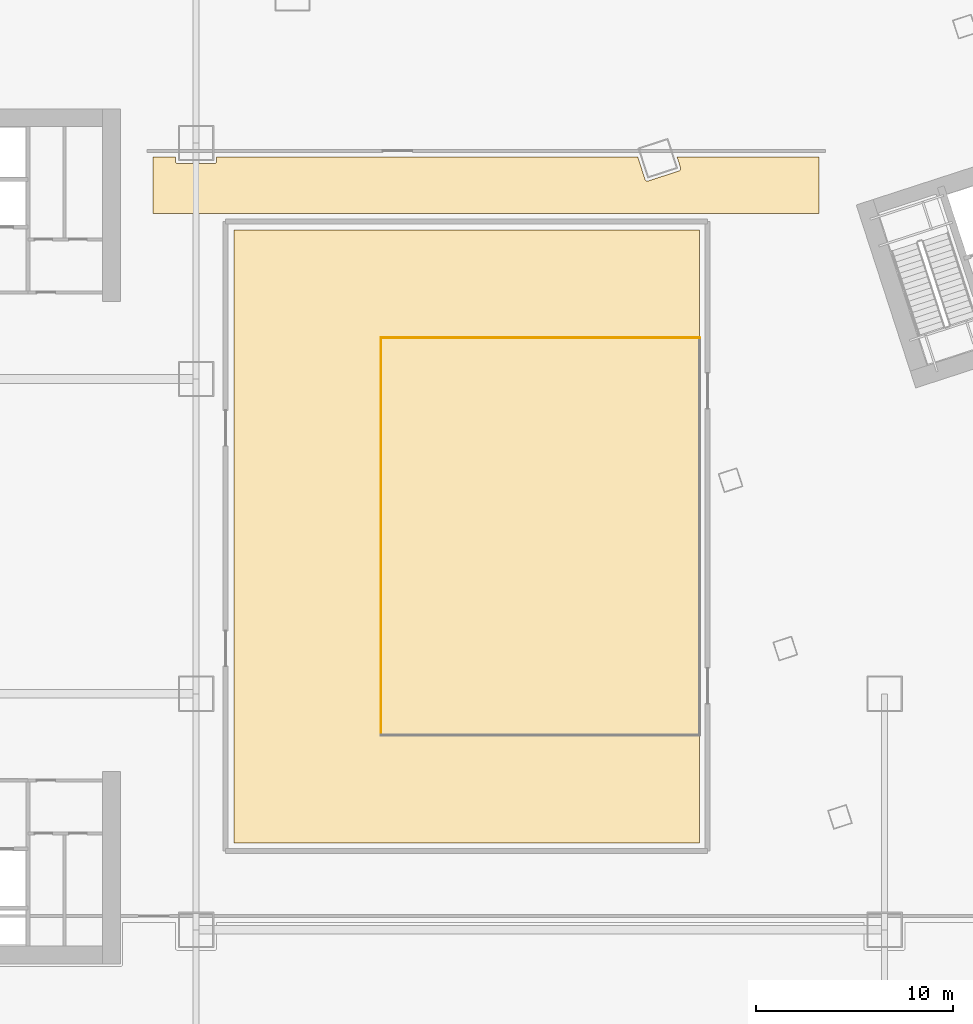
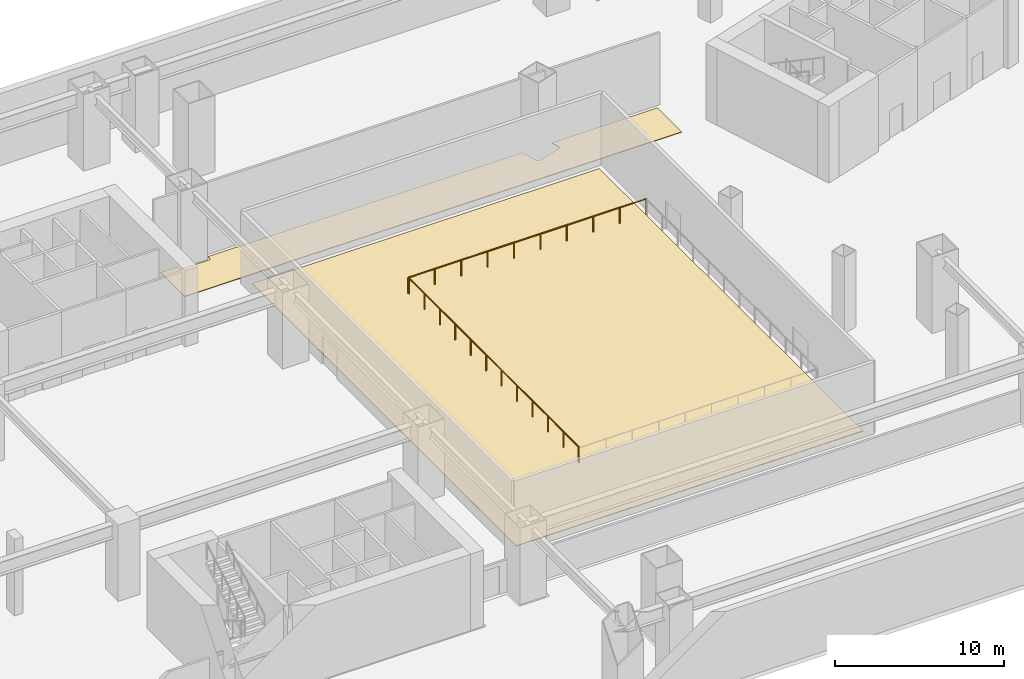
# One storey, part 33 of 35: 2 coverings, 2 railings.
"""IFC4 building model written with IfcOpenShell, lengths in metres."""

import ifcopenshell
import ifcopenshell.guid

model = None  # the IFC model being written
_history = None  # IfcOwnerHistory: only IFC2X3 demands one
_inside = {}  # id of a spatial element -> (the spatial element, [elements in it])
_under = {}  # id of a project, library or spatial element -> (it, [spatial elements below it])
_declared = {}  # id of a project -> (the project, [libraries it declares])
_typed = {}  # id of a type object -> (the type object, [elements of that type])
_made_of = {}  # id of a material, layer set ... -> (it, [elements and type objects made of it])


def new_model(schema):
    """Start an empty IFC model of exactly this schema.

    Asked for "IFC4X3", IfcOpenShell would pick the latest addendum, in which some entities
    have other attributes; the version numbers below select the first issue.
    IFC2X3 requires an IfcOwnerHistory on every rooted entity: one is made here for all.
    """
    global model, _history
    if schema == "IFC4X3":
        model = ifcopenshell.file(schema_version=(4, 3, 0, 0))
    else:
        model = ifcopenshell.file(schema=schema)
    _inside.clear()
    _under.clear()
    _declared.clear()
    _typed.clear()
    _made_of.clear()
    _history = None
    if model.schema == "IFC2X3":
        org = make("IfcOrganization", Name="unknown")
        user = make(
            "IfcPersonAndOrganization",
            ThePerson=make("IfcPerson", FamilyName="unknown"),
            TheOrganization=org,
        )
        app = make(
            "IfcApplication",
            ApplicationDeveloper=org,
            Version="unknown",
            ApplicationFullName="unknown",
            ApplicationIdentifier="unknown",
        )
        _history = make(
            "IfcOwnerHistory",
            OwningUser=user,
            OwningApplication=app,
            ChangeAction="ADDED",
            CreationDate=0,
        )
    return model


def make(cls, **values):
    """One entity of the class cls with the attributes given. An attribute that is None is left unset."""
    return model.create_entity(
        cls, **{name: value for name, value in values.items() if value is not None}
    )


def rooted(cls, **values):
    """An entity with a GlobalId (a new one), such as an element, a storey or a relation."""
    return make(cls, GlobalId=ifcopenshell.guid.new(), OwnerHistory=_history, **values)


def si_unit(unit_type, name, prefix=None):
    """IfcSIUnit, for example si_unit("LENGTHUNIT", "METRE", prefix="MILLI")."""
    return make("IfcSIUnit", UnitType=unit_type, Prefix=prefix, Name=name)


def assignment(units):
    """IfcUnitAssignment: the units of a project."""
    return None if units is None else make("IfcUnitAssignment", Units=units)


def point(xyz):
    """IfcCartesianPoint."""
    return None if xyz is None else make("IfcCartesianPoint", Coordinates=xyz)


def direction(xyz):
    """IfcDirection."""
    return None if xyz is None else make("IfcDirection", DirectionRatios=xyz)


def frame(location, z_axis=None, x_axis=None):
    """IfcAxis2Placement3D, a coordinate frame: its origin and axes. An axis left out is left unset."""
    return make(
        "IfcAxis2Placement3D",
        Location=point(location),
        Axis=direction(z_axis),
        RefDirection=direction(x_axis),
    )


def frame_2d(location, x_axis=None):
    """IfcAxis2Placement2D, a coordinate frame in the plane: its origin and x axis."""
    return make(
        "IfcAxis2Placement2D", Location=point(location), RefDirection=direction(x_axis)
    )


def origin():
    """The frame at (0, 0, 0) with its axes left unset."""
    return frame((0.0, 0.0, 0.0))


def origin_2d():
    """The frame at (0, 0) in the plane with its x axis left unset."""
    return frame_2d((0.0, 0.0))


def place(relative_to, where):
    """IfcLocalPlacement: puts the frame where relative to a parent placement (None: the world)."""
    return make(
        "IfcLocalPlacement", PlacementRelTo=relative_to, RelativePlacement=where
    )


def context(
    kind, dimensions, precision=None, world=None, true_north=None, identifier=None
):
    """IfcGeometricRepresentationContext, for example the 3D "Model" context."""
    return make(
        "IfcGeometricRepresentationContext",
        ContextIdentifier=identifier,
        ContextType=kind,
        CoordinateSpaceDimension=dimensions,
        Precision=precision,
        WorldCoordinateSystem=world,
        TrueNorth=true_north,
    )


def subcontext(parent, identifier, kind, view, scale=None):
    """IfcGeometricRepresentationSubContext, for example "Body" below "Model"."""
    return make(
        "IfcGeometricRepresentationSubContext",
        ContextIdentifier=identifier,
        ContextType=kind,
        ParentContext=parent,
        TargetScale=scale,
        TargetView=view,
    )


def project(units=None, contexts=None):
    """IfcProject with its units and contexts."""
    return rooted(
        "IfcProject",
        Name="project",
        RepresentationContexts=contexts,
        UnitsInContext=assignment(units),
    )


def spatial(cls, under=None, at=None, **own):
    """A site, building, storey or space (cls), placed at a placement, below another one or the project."""
    s = rooted(cls, ObjectPlacement=at, **own)
    if under is not None:
        _under.setdefault(under.id(), (under, []))[1].append(s)
    return s


def polyline(points):
    """IfcPolyline through the points."""
    return make("IfcPolyline", Points=[point(p) for p in points])


def profile(cls, at=None, kind="AREA", **sizes):
    """A parametric profile (cls). Its sizes go by their IFC names, for example OverallWidth=200.0."""
    return make(cls, ProfileType=kind, Position=at, **sizes)


def circle(**sizes):
    """IfcCircleProfileDef."""
    return profile("IfcCircleProfileDef", **sizes)


def outline(outer, holes=None, kind="AREA"):
    """IfcArbitraryClosedProfileDef: a profile drawn as a closed curve; with holes, ...WithVoids."""
    if holes is None:
        return make("IfcArbitraryClosedProfileDef", ProfileType=kind, OuterCurve=outer)
    return make(
        "IfcArbitraryProfileDefWithVoids",
        ProfileType=kind,
        OuterCurve=outer,
        InnerCurves=holes,
    )


def extrude(swept, where, along, depth):
    """IfcExtrudedAreaSolid: the profile swept, set in the frame where, extruded along a direction by depth."""
    return make(
        "IfcExtrudedAreaSolid",
        SweptArea=swept,
        Position=where,
        ExtrudedDirection=direction(along),
        Depth=depth,
    )


def shape(context_of_items, identifier, shape_type, items):
    """IfcShapeRepresentation: the items that make up one representation, for example the "Body"."""
    return make(
        "IfcShapeRepresentation",
        ContextOfItems=context_of_items,
        RepresentationIdentifier=identifier,
        RepresentationType=shape_type,
        Items=items,
    )


def material(Name=None, Category=None):
    """IfcMaterial."""
    return make("IfcMaterial", Name=Name, Category=Category)


def layer(
    of_material, thickness, ventilated=None, Name=None, Category=None, Priority=None
):
    """IfcMaterialLayer: one layer of a wall or slab, of a material (None: an air gap)."""
    return make(
        "IfcMaterialLayer",
        Material=of_material,
        LayerThickness=thickness,
        IsVentilated=ventilated,
        Name=Name,
        Category=Category,
        Priority=Priority,
    )


def layer_set(layers, Name=None):
    """IfcMaterialLayerSet."""
    return make("IfcMaterialLayerSet", MaterialLayers=layers, LayerSetName=Name)


def made_of(thing, what):
    """Note that an element or type object is made of a material, layer set ...; save() writes the relation."""
    if what is not None:
        _made_of.setdefault(what.id(), (what, []))[1].append(thing)
    return thing


def type_object(cls, material=None, **own):
    """A type object (cls), such as IfcWallType, which elements share."""
    return made_of(rooted(cls, **own), material)


def element(
    cls,
    number,
    at=None,
    inside=None,
    cuts=None,
    type_object=None,
    material=None,
    context=None,
    identifier="Body",
    shape_type=None,
    held_by="IfcProductDefinitionShape",
    body=None,
    shapes=None,
    **own,
):
    """One element of the class cls, such as IfcWall. Its Tag is "e" and its number.

    at: its placement. inside: the storey or other place that contains it. cuts: it is an
    opening in that element (IfcRelVoidsElement). A single representation is given by context,
    identifier, shape_type and body (its items); several are given by shapes. held_by: the class
    of the entity that holds the representations. save() writes the other relations.
    """
    e = rooted(cls, Tag="e%d" % number, ObjectPlacement=at, **own)
    if body is not None:
        shapes = [shape(context, identifier, shape_type, body)]
    if shapes is not None:
        e.Representation = make(held_by, Representations=shapes)
    if inside is not None:
        _inside.setdefault(inside.id(), (inside, []))[1].append(e)
    if cuts is not None:
        rooted(
            "IfcRelVoidsElement", RelatingBuildingElement=cuts, RelatedOpeningElement=e
        )
    if type_object is not None:
        _typed.setdefault(type_object.id(), (type_object, []))[1].append(e)
    return made_of(e, material)


def aggregate(whole, parts):
    """IfcRelAggregates: a whole, such as a stair, and the parts it consists of."""
    return rooted("IfcRelAggregates", RelatingObject=whole, RelatedObjects=parts)


def save(model, path):
    """Write the relations noted so far, then the file.

    IfcRelAggregates (storeys below a building ...), IfcRelContainedInSpatialStructure (elements
    in a storey), IfcRelDefinesByType, IfcRelAssociatesMaterial and IfcRelDeclares: one each for
    every whole, place, type object, material and project.
    """
    for whole, parts in _under.values():
        aggregate(whole, parts)
    for where, things in _inside.values():
        rooted(
            "IfcRelContainedInSpatialStructure",
            RelatedElements=things,
            RelatingStructure=where,
        )
    for kind, things in _typed.values():
        rooted("IfcRelDefinesByType", RelatedObjects=things, RelatingType=kind)
    for what, things in _made_of.values():
        rooted("IfcRelAssociatesMaterial", RelatedObjects=things, RelatingMaterial=what)
    for by, libraries in _declared.values():
        rooted("IfcRelDeclares", RelatingContext=by, RelatedDefinitions=libraries)
    model.write(path)


model = new_model("IFC4")

# Units and contexts
model_context = context("Model", 3, precision=1e-05, world=origin(), true_north=direction((0.0, 1.0)))
body_context = subcontext(model_context, "Body", "Model", "MODEL_VIEW")
ifc_project = project(units=[si_unit("LENGTHUNIT", "METRE"), si_unit("AREAUNIT", "SQUARE_METRE"), si_unit("VOLUMEUNIT", "CUBIC_METRE"), si_unit("PLANEANGLEUNIT", "RADIAN"), si_unit("MASSUNIT", "GRAM", prefix="KILO")], contexts=[model_context])

# Site, building, storey
site_placement = place(None, origin())
site = spatial("IfcSite", under=ifc_project, at=site_placement, CompositionType="ELEMENT")
building_placement = place(site_placement, origin())
building = spatial("IfcBuilding", under=site, at=building_placement, Name="Qiaolan Cultural Towers", CompositionType="ELEMENT")
storey_placement = place(building_placement, frame((0.0, 0.0, 6.0)))
storey = spatial("IfcBuildingStorey", under=building, at=storey_placement, Name="L01", CompositionType="ELEMENT", Elevation=6.0)

# Coverings
ifc_material_1 = material(Name="Honed Terrazzo & Raised Access Flooring", Category="concrete")
ifc_layer = layer(ifc_material_1, 0.0400390625)
ifc_layer_set = layer_set([ifc_layer], Name="Honed Terrazzo & Raised Access Flooring")
covering_type = type_object("IfcCoveringType", Name="COV-FLR-STONE", PredefinedType="FLOORING", material=ifc_layer_set)
covering_1_placement = place(storey_placement, origin())
element("IfcCovering", 1, at=covering_1_placement, inside=storey, type_object=covering_type, Name="L01 750-Seat Municipal Cultural Auditorium Hall Finish Flooring", PredefinedType="FLOORING", context=body_context, shape_type="SweptSolid", body=[
    extrude(outline(polyline([(68.080078125, 18.419921875), (68.080078125, 49.580078125), (44.419921875, 49.580078125), (44.419921875, 18.419921875), (68.080078125, 18.419921875)])), origin(), (0.0, 0.0, 1.0), 0.0400390625),
])
covering_2_placement = place(storey_placement, origin())
element("IfcCovering", 2, at=covering_2_placement, inside=storey, type_object=covering_type, Name="L01 Auditorium North Exhibition Gallery Finish Flooring", PredefinedType="FLOORING", context=body_context, shape_type="SweptSolid", body=[
    extrude(outline(polyline([(74.179931640625, 53.280029296875), (66.9541015625, 53.280029296875), (67.1328125, 52.73046875), (67.135986328125, 52.718994140625), (67.137939453125, 52.707275390625), (67.138671875, 52.695556640625), (67.13818359375, 52.683837890625), (67.13671875, 52.672119140625), (67.13427734375, 52.66064453125), (67.13037109375, 52.649658203125), (67.12548828125, 52.638916015625), (67.11962890625, 52.628662109375), (67.11279296875, 52.618896484375), (67.105224609375, 52.610107421875), (67.0966796875, 52.60205078125), (67.08740234375, 52.5947265625), (67.077392578125, 52.588623046875), (67.066650390625, 52.583251953125), (67.0556640625, 52.5791015625), (65.47705078125, 52.066162109375), (65.465576171875, 52.063232421875), (65.4541015625, 52.06103515625), (65.4423828125, 52.060302734375), (65.430419921875, 52.060791015625), (65.418701171875, 52.062255859375), (65.4072265625, 52.06494140625), (65.396240234375, 52.068603515625), (65.385498046875, 52.073486328125), (65.375244140625, 52.079345703125), (65.36572265625, 52.086181640625), (65.356689453125, 52.09375), (65.3486328125, 52.102294921875), (65.341552734375, 52.11181640625), (65.335205078125, 52.12158203125), (65.330078125, 52.13232421875), (65.32568359375, 52.143310546875), (64.95654296875, 53.280029296875), (43.550048828125, 53.280029296875), (43.550048828125, 53.070068359375), (43.54931640625, 53.058349609375), (43.547607421875, 53.046630859375), (43.544921875, 53.03515625), (43.540771484375, 53.024169921875), (43.535888671875, 53.013427734375), (43.52978515625, 53.00341796875), (43.522705078125, 52.993896484375), (43.514892578125, 52.985107421875), (43.506103515625, 52.977294921875), (43.49658203125, 52.97021484375), (43.486572265625, 52.964111328125), (43.475830078125, 52.959228515625), (43.46484375, 52.955078125), (43.453369140625, 52.952392578125), (43.441650390625, 52.95068359375), (43.429931640625, 52.949951171875), (41.570068359375, 52.949951171875), (41.558349609375, 52.95068359375), (41.546630859375, 52.952392578125), (41.53515625, 52.955078125), (41.524169921875, 52.959228515625), (41.513427734375, 52.964111328125), (41.50341796875, 52.97021484375), (41.493896484375, 52.977294921875), (41.485107421875, 52.985107421875), (41.477294921875, 52.993896484375), (41.47021484375, 53.00341796875), (41.464111328125, 53.013427734375), (41.459228515625, 53.024169921875), (41.455078125, 53.03515625), (41.452392578125, 53.046630859375), (41.45068359375, 53.058349609375), (41.449951171875, 53.070068359375), (41.449951171875, 53.280029296875), (40.320068359375, 53.280029296875), (40.320068359375, 50.419921875), (74.179931640625, 50.419921875), (74.179931640625, 53.280029296875)])), origin(), (0.0, 0.0, 1.0), 0.0400390625),
])

# Railings
ifc_material_2 = material(Name="Laminated SentryGlas & Stainless Steel S31608 Balustrade", Category="steel")
railing_type = type_object("IfcRailingType", Name="GRD-TERR-1200", PredefinedType="BALUSTRADE", material=ifc_material_2)
railing_1_placement = place(storey_placement, frame((68.10009765625, 44.10009765625, 0.0)))
element("IfcRailing", 3, at=railing_1_placement, inside=storey, type_object=railing_type, Name="L01 Metro Concourse Lightwell Balustrade N", PredefinedType="BALUSTRADE", context=body_context, shape_type="SweptSolid", body=[
    extrude(circle(Radius=0.02392578125, at=origin_2d()), frame((0.0, 0.0, 1.17578125), z_axis=(-1.0, 0.0, 0.0), x_axis=(0.0, -1.0, 0.0)), (0.0, 0.0, 1.0), 16.2001953125),
    extrude(circle(Radius=0.02099609375, at=origin_2d()), origin(), (0.0, 0.0, 1.0), 1.15185546875),
    extrude(circle(Radius=0.02099609375, at=origin_2d()), frame((-1.800048828125, 0.0, 0.0)), (0.0, 0.0, 1.0), 1.15185546875),
    extrude(circle(Radius=0.02099609375, at=origin_2d()), frame((-3.60009765625, 0.0, 0.0)), (0.0, 0.0, 1.0), 1.15185546875),
    extrude(circle(Radius=0.02099609375, at=origin_2d()), frame((-5.400146484375, 0.0, 0.0)), (0.0, 0.0, 1.0), 1.15185546875),
    extrude(circle(Radius=0.02099609375, at=origin_2d()), frame((-7.2001953125, 0.0, 0.0)), (0.0, 0.0, 1.0), 1.15185546875),
    extrude(circle(Radius=0.02099609375, at=origin_2d()), frame((-9.0, 0.0, 0.0)), (0.0, 0.0, 1.0), 1.15185546875),
    extrude(circle(Radius=0.02099609375, at=origin_2d()), frame((-10.800048828125, 0.0, 0.0)), (0.0, 0.0, 1.0), 1.15185546875),
    extrude(circle(Radius=0.02099609375, at=origin_2d()), frame((-12.60009765625, 0.0, 0.0)), (0.0, 0.0, 1.0), 1.15185546875),
    extrude(circle(Radius=0.02099609375, at=origin_2d()), frame((-14.400146484375, 0.0, 0.0)), (0.0, 0.0, 1.0), 1.15185546875),
    extrude(circle(Radius=0.02099609375, at=origin_2d()), frame((-16.2001953125, 0.0, 0.0)), (0.0, 0.0, 1.0), 1.15185546875),
])
railing_2_placement = place(storey_placement, frame((51.89990234375, 44.02001953125, 0.0)))
element("IfcRailing", 4, at=railing_2_placement, inside=storey, type_object=railing_type, Name="L01 Metro Concourse Lightwell Balustrade W", PredefinedType="BALUSTRADE", context=body_context, shape_type="SweptSolid", body=[
    extrude(circle(Radius=0.02392578125, at=origin_2d()), frame((0.0, 0.0, 1.17578125), z_axis=(0.0, -1.0, 0.0), x_axis=(1.0, 0.0, 0.0)), (0.0, 0.0, 1.0), 20.0400390625),
    extrude(circle(Radius=0.02099609375, at=origin_2d()), origin(), (0.0, 0.0, 1.0), 1.15185546875),
    extrude(circle(Radius=0.02099609375, at=origin_2d()), frame((0.0, -1.82177734375, 0.0)), (0.0, 0.0, 1.0), 1.15185546875),
    extrude(circle(Radius=0.02099609375, at=origin_2d()), frame((0.0, -3.6435546875, 0.0)), (0.0, 0.0, 1.0), 1.15185546875),
    extrude(circle(Radius=0.02099609375, at=origin_2d()), frame((0.0, -5.465576171875, 0.0)), (0.0, 0.0, 1.0), 1.15185546875),
    extrude(circle(Radius=0.02099609375, at=origin_2d()), frame((0.0, -7.287353515625, 0.0)), (0.0, 0.0, 1.0), 1.15185546875),
    extrude(circle(Radius=0.02099609375, at=origin_2d()), frame((0.0, -9.109130859375, 0.0)), (0.0, 0.0, 1.0), 1.15185546875),
    extrude(circle(Radius=0.02099609375, at=origin_2d()), frame((0.0, -10.930908203125, 0.0)), (0.0, 0.0, 1.0), 1.15185546875),
    extrude(circle(Radius=0.02099609375, at=origin_2d()), frame((0.0, -12.752685546875, 0.0)), (0.0, 0.0, 1.0), 1.15185546875),
    extrude(circle(Radius=0.02099609375, at=origin_2d()), frame((0.0, -14.574462890625, 0.0)), (0.0, 0.0, 1.0), 1.15185546875),
    extrude(circle(Radius=0.02099609375, at=origin_2d()), frame((0.0, -16.396484375, 0.0)), (0.0, 0.0, 1.0), 1.15185546875),
    extrude(circle(Radius=0.02099609375, at=origin_2d()), frame((0.0, -18.21826171875, 0.0)), (0.0, 0.0, 1.0), 1.15185546875),
    extrude(circle(Radius=0.02099609375, at=origin_2d()), frame((0.0, -20.0400390625, 0.0)), (0.0, 0.0, 1.0), 1.15185546875),
])

save(model, "model.ifc")
